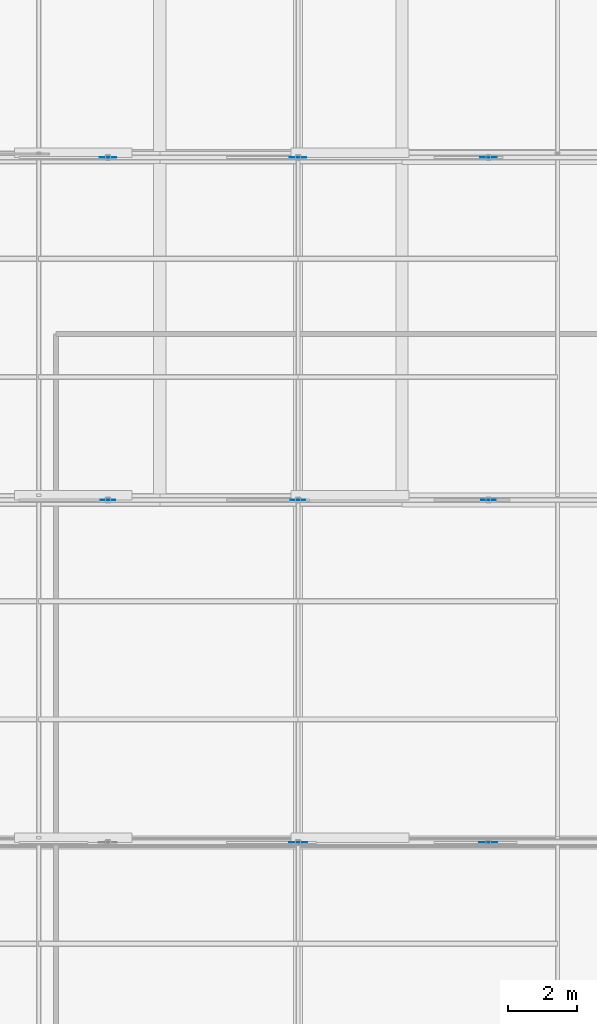
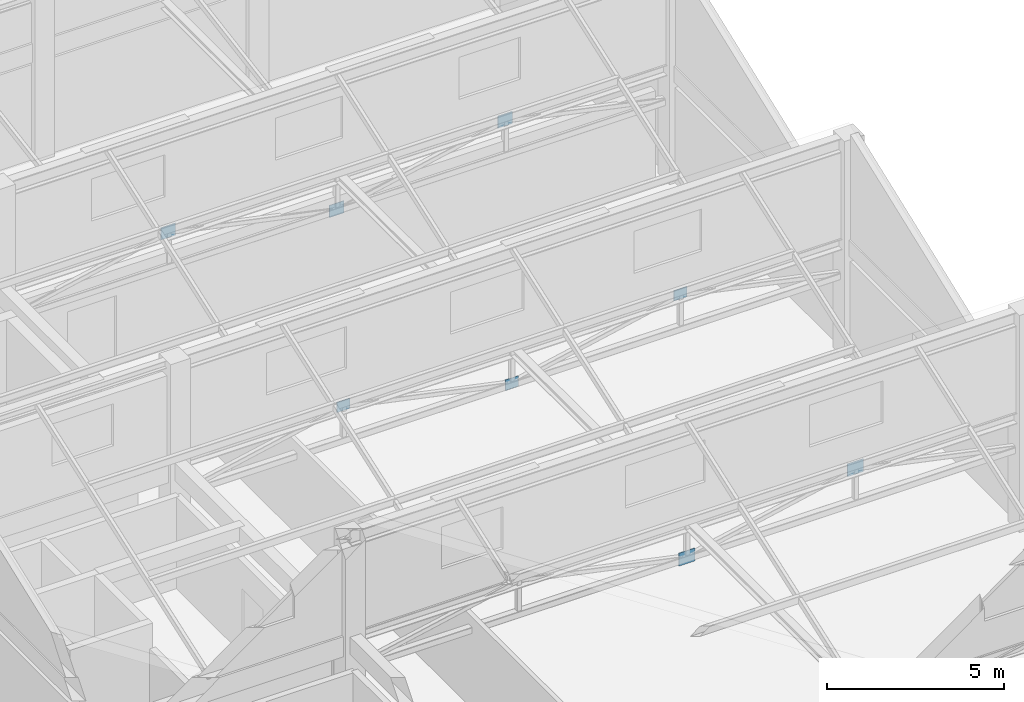
# One storey, part 28 of 35: 8 plates.
"""IFC4 building model written with IfcOpenShell, lengths in metres."""

from ifc_helpers import new_model, si_unit, direction, frame, origin, origin_2d, place, context, subcontext, project, spatial, rectangle, extrude, material, layer, layer_set, type_object, element, save


model = new_model("IFC4")

# Units and contexts
model_context = context("Model", 3, precision=1e-05, world=origin(), true_north=direction((0.0, 1.0)))
body_context = subcontext(model_context, "Body", "Model", "MODEL_VIEW")
ifc_project = project(units=[si_unit("LENGTHUNIT", "METRE"), si_unit("AREAUNIT", "SQUARE_METRE"), si_unit("VOLUMEUNIT", "CUBIC_METRE"), si_unit("PLANEANGLEUNIT", "RADIAN"), si_unit("MASSUNIT", "GRAM", prefix="KILO")], contexts=[model_context])

# Site, building, storey
site_placement = place(None, origin())
site = spatial("IfcSite", under=ifc_project, at=site_placement, CompositionType="ELEMENT")
building_placement = place(site_placement, origin())
building = spatial("IfcBuilding", under=site, at=building_placement, Name="Sillaruma Civic Art Gallery", CompositionType="ELEMENT")
storey_placement = place(building_placement, frame((0.0, 0.0, 74.4599609375)))
storey = spatial("IfcBuildingStorey", under=building, at=storey_placement, Name="L15", CompositionType="ELEMENT", Elevation=74.4599609375)

# Plates
ifc_material = material(Name="Structural Steel ASTM A992 Gr.50", Category="steel")
ifc_layer_1 = layer(ifc_material, 0.01806640625, Name="Structural Steel ASTM A992 Gr.50")
ifc_layer_set_1 = layer_set([ifc_layer_1], Name="Structural Steel ASTM A992 Gr.50")
plate_type_1 = type_object("IfcPlateType", Name="PLT-GUS-18", PredefinedType="SHEET", material=ifc_layer_set_1)
for number, where, z_axis, x_axis, name in (
    (1, (75.5, 79.199951171875, 3.67822265625), (0.0, 0.0, 1.0), (1.0, 0.0, 0.0), "Truss Gusset Plate GP-03 (TR-L15-5-1)"),
    (2, (81.0, 79.199951171875, 2.52001953125), (0.0, 0.0, 1.0), (1.0, 0.0, 0.0), "Truss Gusset Plate GP-03 (TR-L15-5-2)"),
    (3, (86.5, 79.199951171875, 3.67822265625), (0.0, 0.0, 1.0), (1.0, 0.0, 0.0), "Truss Gusset Plate GP-03 (TR-L15-5-3)"),
):
    element("IfcPlate", number, at=place(storey_placement, frame(where, z_axis=z_axis, x_axis=x_axis)), inside=storey, type_object=plate_type_1, Name=name, PredefinedType="SHEET", context=body_context, shape_type="SweptSolid", body=[
        extrude(rectangle(XDim=0.419921875, YDim=0.01806640625, at=origin_2d()), origin(), (0.0, 0.0, 1.0), 0.360107421875),
    ])
ifc_layer_2 = layer(ifc_material, 0.02197265625, Name="Structural Steel ASTM A992 Gr.50")
ifc_layer_set_2 = layer_set([ifc_layer_2], Name="Structural Steel ASTM A992 Gr.50")
plate_type_2 = type_object("IfcPlateType", Name="PLT-GUS-22", PredefinedType="SHEET", material=ifc_layer_set_2)
for number, where, z_axis, x_axis, name in (
    (4, (75.5, 89.10009765625, 3.648193359375), (0.0, 0.0, 1.0), (1.0, 0.0, 0.0), "Truss Gusset Plate GP-04 (TR-L15-6-1)"),
    (5, (81.0, 89.10009765625, 2.489990234375), (0.0, 0.0, 1.0), (1.0, 0.0, 0.0), "Truss Gusset Plate GP-04 (TR-L15-6-2)"),
    (6, (86.5, 89.10009765625, 3.648193359375), (0.0, 0.0, 1.0), (1.0, 0.0, 0.0), "Truss Gusset Plate GP-04 (TR-L15-6-3)"),
):
    element("IfcPlate", number, at=place(storey_placement, frame(where, z_axis=z_axis, x_axis=x_axis)), inside=storey, type_object=plate_type_2, Name=name, PredefinedType="SHEET", context=body_context, shape_type="SweptSolid", body=[
        extrude(rectangle(XDim=0.47998046875, YDim=0.02197265625, at=origin_2d()), origin(), (0.0, 0.0, 1.0), 0.419921875),
    ])
ifc_layer_3 = layer(ifc_material, 0.02392578125, Name="Structural Steel ASTM A992 Gr.50")
ifc_layer_set_3 = layer_set([ifc_layer_3], Name="Structural Steel ASTM A992 Gr.50")
plate_type_3 = type_object("IfcPlateType", Name="PLT-GUS-24", PredefinedType="SHEET", material=ifc_layer_set_3)
for number, where, z_axis, x_axis, name in (
    (7, (81.0, 69.300048828125, 2.47998046875), (0.0, 0.0, 1.0), (1.0, 0.0, 0.0), "Truss Gusset Plate GP-02 (TR-L15-4-2)"),
    (8, (86.5, 69.300048828125, 3.63818359375), (0.0, 0.0, 1.0), (1.0, 0.0, 0.0), "Truss Gusset Plate GP-02 (TR-L15-4-3)"),
):
    element("IfcPlate", number, at=place(storey_placement, frame(where, z_axis=z_axis, x_axis=x_axis)), inside=storey, type_object=plate_type_3, Name=name, PredefinedType="SHEET", context=body_context, shape_type="SweptSolid", body=[
        extrude(rectangle(XDim=0.52001953125, YDim=0.02392578125, at=origin_2d()), origin(), (0.0, 0.0, 1.0), 0.43994140625),
    ])

save(model, "model.ifc")
